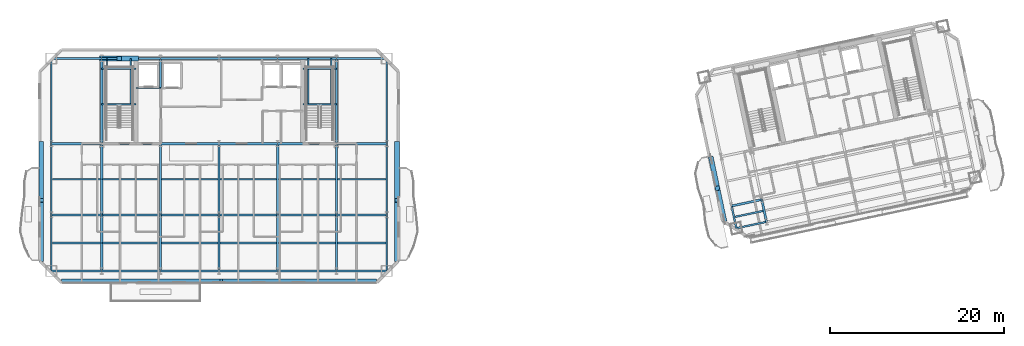
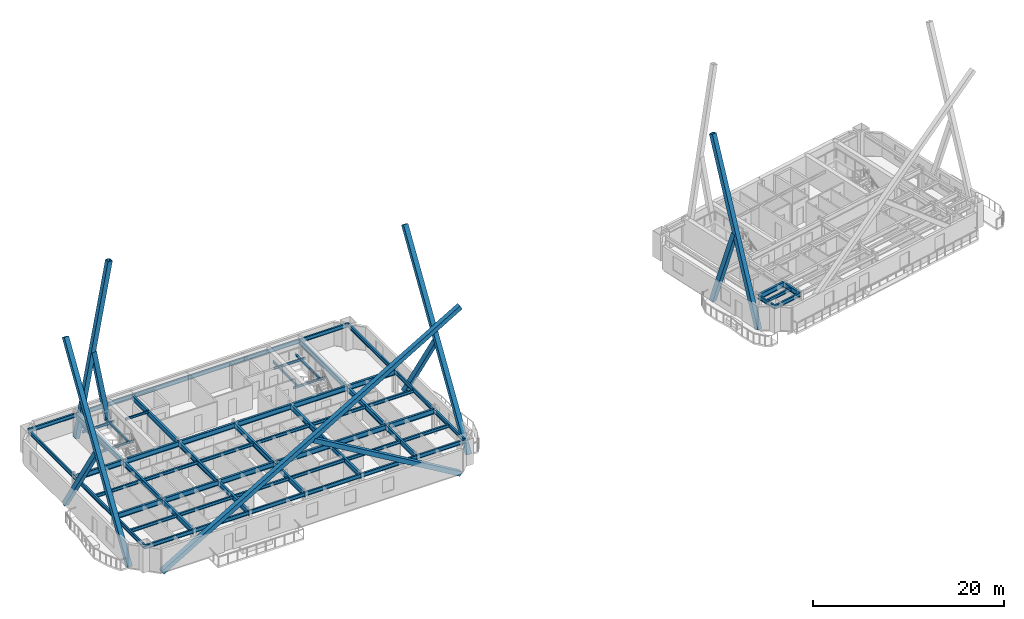
# One storey, part 3 of 20: 69 beams, 10 members.
"""IFC4 building model written with IfcOpenShell, lengths in metres."""

from ifc_helpers import new_model, si_unit, direction, frame, origin, origin_2d, place, context, subcontext, project, spatial, hollow_rectangle, i_section, extrude, material, material_profile, profile_set, type_object, element, save


model = new_model("IFC4")

# Units and contexts
model_context = context("Model", 3, precision=1e-05, world=origin(), true_north=direction((0.0, 1.0)))
body_context = subcontext(model_context, "Body", "Model", "MODEL_VIEW")
ifc_project = project(units=[si_unit("LENGTHUNIT", "METRE"), si_unit("AREAUNIT", "SQUARE_METRE"), si_unit("VOLUMEUNIT", "CUBIC_METRE"), si_unit("PLANEANGLEUNIT", "RADIAN"), si_unit("MASSUNIT", "GRAM", prefix="KILO")], contexts=[model_context])

# Site, building, storey
site_placement = place(None, origin())
site = spatial("IfcSite", under=ifc_project, at=site_placement, CompositionType="ELEMENT")
building_placement = place(site_placement, origin())
building = spatial("IfcBuilding", under=site, at=building_placement, Name="Haevon Station Towers", CompositionType="ELEMENT")
storey_placement = place(building_placement, frame((0.0, 0.0, 175.800048828125)))
storey = spatial("IfcBuildingStorey", under=building, at=storey_placement, Name="L48", CompositionType="ELEMENT", Elevation=175.800048828125)

# Beams
ifc_material_1 = material(Name="Steel S355", Category="steel")
ifc_material_profile_1 = material_profile(ifc_material_1, i_section(OverallWidth=0.25, OverallDepth=0.64990234375, WebThickness=0.012939453125, FlangeThickness=0.02197265625, at=origin_2d()), Name="H-650x250x13x22")
ifc_profile_set_1 = profile_set([ifc_material_profile_1], Name="Steel S355")
beam_type_1 = type_object("IfcBeamType", Name="BM-G650", PredefinedType="BEAM", material=ifc_profile_set_1)
beam_1_placement = place(storey_placement, frame((18.199951171875, 30.0, 2.724853515625), z_axis=(1.0, 0.0, 0.0), x_axis=(0.0, 1.0, 0.0)))
element("IfcBeam", 1, at=beam_1_placement, inside=storey, type_object=beam_type_1, Name="BM-T1U-L48-02-01", PredefinedType="BEAM", context=body_context, shape_type="SweptSolid", body=[
    extrude(i_section(OverallWidth=0.25, OverallDepth=0.64990234375, WebThickness=0.012939453125, FlangeThickness=0.02197265625, at=origin_2d()), origin(), (0.0, 0.0, 1.0), 5.800048828125),
])
for number, where, z_axis, x_axis, name in (
    (2, (24.0, 30.0, 2.724853515625), (1.0, 0.0, 0.0), (0.0, 1.0, 0.0), "BM-T1U-L48-02-02"),
    (3, (30.75, 30.0, 2.724853515625), (1.0, 0.0, 0.0), (0.0, 1.0, 0.0), "BM-T1U-L48-02-03"),
    (4, (37.5, 30.0, 2.724853515625), (1.0, 0.0, 0.0), (0.0, 1.0, 0.0), "BM-T1U-L48-02-04"),
    (5, (44.25, 30.0, 2.724853515625), (1.0, 0.0, 0.0), (0.0, 1.0, 0.0), "BM-T1U-L48-02-05"),
):
    element("IfcBeam", number, at=place(storey_placement, frame(where, z_axis=z_axis, x_axis=x_axis)), inside=storey, type_object=beam_type_1, Name=name, PredefinedType="BEAM", context=body_context, shape_type="SweptSolid", body=[
        extrude(i_section(OverallWidth=0.25, OverallDepth=0.64990234375, WebThickness=0.012939453125, FlangeThickness=0.02197265625, at=origin_2d()), origin(), (0.0, 0.0, 1.0), 6.75),
    ])
for number, where, z_axis, x_axis, name in (
    (6, (51.0, 30.0, 2.724853515625), (1.0, 0.0, 0.0), (0.0, 1.0, 0.0), "BM-T1U-L48-02-06"),
    (7, (18.199951171875, 38.199951171875, 2.724853515625), (1.0, 0.0, 0.0), (0.0, 1.0, 0.0), "BM-T1U-L48-03-01"),
):
    element("IfcBeam", number, at=place(storey_placement, frame(where, z_axis=z_axis, x_axis=x_axis)), inside=storey, type_object=beam_type_1, Name=name, PredefinedType="BEAM", context=body_context, shape_type="SweptSolid", body=[
        extrude(i_section(OverallWidth=0.25, OverallDepth=0.64990234375, WebThickness=0.012939453125, FlangeThickness=0.02197265625, at=origin_2d()), origin(), (0.0, 0.0, 1.0), 5.800048828125),
    ])
for number, where, z_axis, x_axis, name in (
    (8, (24.0, 38.199951171875, 2.724853515625), (1.0, 0.0, 0.0), (0.0, 1.0, 0.0), "BM-T1U-L48-03-02"),
    (9, (30.75, 38.199951171875, 2.724853515625), (1.0, 0.0, 0.0), (0.0, 1.0, 0.0), "BM-T1U-L48-03-03"),
    (10, (37.5, 38.199951171875, 2.724853515625), (1.0, 0.0, 0.0), (0.0, 1.0, 0.0), "BM-T1U-L48-03-04"),
    (11, (44.25, 38.199951171875, 2.724853515625), (1.0, 0.0, 0.0), (0.0, 1.0, 0.0), "BM-T1U-L48-03-05"),
):
    element("IfcBeam", number, at=place(storey_placement, frame(where, z_axis=z_axis, x_axis=x_axis)), inside=storey, type_object=beam_type_1, Name=name, PredefinedType="BEAM", context=body_context, shape_type="SweptSolid", body=[
        extrude(i_section(OverallWidth=0.25, OverallDepth=0.64990234375, WebThickness=0.012939453125, FlangeThickness=0.02197265625, at=origin_2d()), origin(), (0.0, 0.0, 1.0), 6.75),
    ])
beam_2_placement = place(storey_placement, frame((51.0, 38.199951171875, 2.724853515625), z_axis=(1.0, 0.0, 0.0), x_axis=(0.0, 1.0, 0.0)))
element("IfcBeam", 12, at=beam_2_placement, inside=storey, type_object=beam_type_1, Name="BM-T1U-L48-03-06", PredefinedType="BEAM", context=body_context, shape_type="SweptSolid", body=[
    extrude(i_section(OverallWidth=0.25, OverallDepth=0.64990234375, WebThickness=0.012939453125, FlangeThickness=0.02197265625, at=origin_2d()), origin(), (0.0, 0.0, 1.0), 5.800048828125),
])
beam_3_placement = place(storey_placement, frame((24.0, 23.550048828125, 2.724853515625), z_axis=(0.0, 1.0, 0.0), x_axis=(-1.0, 0.0, 0.0)))
element("IfcBeam", 13, at=beam_3_placement, inside=storey, type_object=beam_type_1, Name="BM-T1V-L48-02-01", PredefinedType="BEAM", context=body_context, shape_type="SweptSolid", body=[
    extrude(i_section(OverallWidth=0.25, OverallDepth=0.64990234375, WebThickness=0.012939453125, FlangeThickness=0.02197265625, at=origin_2d()), origin(), (0.0, 0.0, 1.0), 6.449951171875),
])
beam_4_placement = place(storey_placement, frame((24.0, 30.0, 2.724853515625), z_axis=(0.0, 1.0, 0.0), x_axis=(-1.0, 0.0, 0.0)))
element("IfcBeam", 14, at=beam_4_placement, inside=storey, type_object=beam_type_1, Name="BM-T1V-L48-02-02", PredefinedType="BEAM", context=body_context, shape_type="SweptSolid", body=[
    extrude(i_section(OverallWidth=0.25, OverallDepth=0.64990234375, WebThickness=0.012939453125, FlangeThickness=0.02197265625, at=origin_2d()), origin(), (0.0, 0.0, 1.0), 8.199951171875),
])
beam_5_placement = place(storey_placement, frame((24.0, 38.199951171875, 2.724853515625), z_axis=(0.0, 1.0, 0.0), x_axis=(-1.0, 0.0, 0.0)))
element("IfcBeam", 15, at=beam_5_placement, inside=storey, type_object=beam_type_1, Name="BM-T1V-L48-02-03", PredefinedType="BEAM", context=body_context, shape_type="SweptSolid", body=[
    extrude(i_section(OverallWidth=0.25, OverallDepth=0.64990234375, WebThickness=0.012939453125, FlangeThickness=0.02197265625, at=origin_2d()), origin(), (0.0, 0.0, 1.0), 9.800048828125),
])
beam_6_placement = place(storey_placement, frame((30.75, 23.550048828125, 2.724853515625), z_axis=(0.0, 1.0, 0.0), x_axis=(-1.0, 0.0, 0.0)))
element("IfcBeam", 16, at=beam_6_placement, inside=storey, type_object=beam_type_1, Name="BM-T1V-L48-03-01", PredefinedType="BEAM", context=body_context, shape_type="SweptSolid", body=[
    extrude(i_section(OverallWidth=0.25, OverallDepth=0.64990234375, WebThickness=0.012939453125, FlangeThickness=0.02197265625, at=origin_2d()), origin(), (0.0, 0.0, 1.0), 6.449951171875),
])
beam_7_placement = place(storey_placement, frame((30.75, 30.0, 2.724853515625), z_axis=(0.0, 1.0, 0.0), x_axis=(-1.0, 0.0, 0.0)))
element("IfcBeam", 17, at=beam_7_placement, inside=storey, type_object=beam_type_1, Name="BM-T1V-L48-03-02", PredefinedType="BEAM", context=body_context, shape_type="SweptSolid", body=[
    extrude(i_section(OverallWidth=0.25, OverallDepth=0.64990234375, WebThickness=0.012939453125, FlangeThickness=0.02197265625, at=origin_2d()), origin(), (0.0, 0.0, 1.0), 8.199951171875),
])
beam_8_placement = place(storey_placement, frame((30.75, 38.199951171875, 2.724853515625), z_axis=(0.0, 1.0, 0.0), x_axis=(-1.0, 0.0, 0.0)))
element("IfcBeam", 18, at=beam_8_placement, inside=storey, type_object=beam_type_1, Name="BM-T1V-L48-03-03", PredefinedType="BEAM", context=body_context, shape_type="SweptSolid", body=[
    extrude(i_section(OverallWidth=0.25, OverallDepth=0.64990234375, WebThickness=0.012939453125, FlangeThickness=0.02197265625, at=origin_2d()), origin(), (0.0, 0.0, 1.0), 9.800048828125),
])
beam_9_placement = place(storey_placement, frame((37.5, 23.550048828125, 2.724853515625), z_axis=(0.0, 1.0, 0.0), x_axis=(-1.0, 0.0, 0.0)))
element("IfcBeam", 19, at=beam_9_placement, inside=storey, type_object=beam_type_1, Name="BM-T1V-L48-04-01", PredefinedType="BEAM", context=body_context, shape_type="SweptSolid", body=[
    extrude(i_section(OverallWidth=0.25, OverallDepth=0.64990234375, WebThickness=0.012939453125, FlangeThickness=0.02197265625, at=origin_2d()), origin(), (0.0, 0.0, 1.0), 6.449951171875),
])
beam_10_placement = place(storey_placement, frame((37.5, 30.0, 2.724853515625), z_axis=(0.0, 1.0, 0.0), x_axis=(-1.0, 0.0, 0.0)))
element("IfcBeam", 20, at=beam_10_placement, inside=storey, type_object=beam_type_1, Name="BM-T1V-L48-04-02", PredefinedType="BEAM", context=body_context, shape_type="SweptSolid", body=[
    extrude(i_section(OverallWidth=0.25, OverallDepth=0.64990234375, WebThickness=0.012939453125, FlangeThickness=0.02197265625, at=origin_2d()), origin(), (0.0, 0.0, 1.0), 8.199951171875),
])
beam_11_placement = place(storey_placement, frame((44.25, 23.550048828125, 2.724853515625), z_axis=(0.0, 1.0, 0.0), x_axis=(-1.0, 0.0, 0.0)))
element("IfcBeam", 21, at=beam_11_placement, inside=storey, type_object=beam_type_1, Name="BM-T1V-L48-05-01", PredefinedType="BEAM", context=body_context, shape_type="SweptSolid", body=[
    extrude(i_section(OverallWidth=0.25, OverallDepth=0.64990234375, WebThickness=0.012939453125, FlangeThickness=0.02197265625, at=origin_2d()), origin(), (0.0, 0.0, 1.0), 6.449951171875),
])
beam_12_placement = place(storey_placement, frame((44.25, 30.0, 2.724853515625), z_axis=(0.0, 1.0, 0.0), x_axis=(-1.0, 0.0, 0.0)))
element("IfcBeam", 22, at=beam_12_placement, inside=storey, type_object=beam_type_1, Name="BM-T1V-L48-05-02", PredefinedType="BEAM", context=body_context, shape_type="SweptSolid", body=[
    extrude(i_section(OverallWidth=0.25, OverallDepth=0.64990234375, WebThickness=0.012939453125, FlangeThickness=0.02197265625, at=origin_2d()), origin(), (0.0, 0.0, 1.0), 8.199951171875),
])
beam_13_placement = place(storey_placement, frame((51.0, 23.550048828125, 2.724853515625), z_axis=(0.0, 1.0, 0.0), x_axis=(-1.0, 0.0, 0.0)))
element("IfcBeam", 23, at=beam_13_placement, inside=storey, type_object=beam_type_1, Name="BM-T1V-L48-06-01", PredefinedType="BEAM", context=body_context, shape_type="SweptSolid", body=[
    extrude(i_section(OverallWidth=0.25, OverallDepth=0.64990234375, WebThickness=0.012939453125, FlangeThickness=0.02197265625, at=origin_2d()), origin(), (0.0, 0.0, 1.0), 6.449951171875),
])
beam_14_placement = place(storey_placement, frame((51.0, 30.0, 2.724853515625), z_axis=(0.0, 1.0, 0.0), x_axis=(-1.0, 0.0, 0.0)))
element("IfcBeam", 24, at=beam_14_placement, inside=storey, type_object=beam_type_1, Name="BM-T1V-L48-06-02", PredefinedType="BEAM", context=body_context, shape_type="SweptSolid", body=[
    extrude(i_section(OverallWidth=0.25, OverallDepth=0.64990234375, WebThickness=0.012939453125, FlangeThickness=0.02197265625, at=origin_2d()), origin(), (0.0, 0.0, 1.0), 8.199951171875),
])
beam_15_placement = place(storey_placement, frame((51.0, 38.199951171875, 2.724853515625), z_axis=(0.0, 1.0, 0.0), x_axis=(-1.0, 0.0, 0.0)))
element("IfcBeam", 25, at=beam_15_placement, inside=storey, type_object=beam_type_1, Name="BM-T1V-L48-06-03", PredefinedType="BEAM", context=body_context, shape_type="SweptSolid", body=[
    extrude(i_section(OverallWidth=0.25, OverallDepth=0.64990234375, WebThickness=0.012939453125, FlangeThickness=0.02197265625, at=origin_2d()), origin(), (0.0, 0.0, 1.0), 9.800048828125),
])
beam_16_placement = place(storey_placement, frame((96.48583984375, 31.031005859375, 2.724853515625), z_axis=(0.978150285663, 0.207899058817, 0.0), x_axis=(-0.207899058817, 0.978150285663, 0.0)))
element("IfcBeam", 26, at=beam_16_placement, inside=storey, type_object=beam_type_1, Name="BM-T2U-L48-02-01", PredefinedType="BEAM", context=body_context, shape_type="SweptSolid", body=[
    extrude(i_section(OverallWidth=0.25, OverallDepth=0.64990234375, WebThickness=0.012939453125, FlangeThickness=0.02197265625, at=origin_2d()), origin(), (0.0, 0.0, 1.0), 3.550048828125),
])
beam_17_placement = place(storey_placement, frame((100.5029296875, 29.206298828125, 2.724853515625), z_axis=(-0.207893304367, 0.978151508714, 0.0), x_axis=(-0.978151508714, -0.207893304367, 0.0)))
element("IfcBeam", 27, at=beam_17_placement, inside=storey, type_object=beam_type_1, Name="BM-T2V-L48-02-01", PredefinedType="BEAM", context=body_context, shape_type="SweptSolid", body=[
    extrude(i_section(OverallWidth=0.25, OverallDepth=0.64990234375, WebThickness=0.012939453125, FlangeThickness=0.02197265625, at=origin_2d()), origin(), (0.0, 0.0, 1.0), 2.619873046875),
])
ifc_material_profile_2 = material_profile(ifc_material_1, i_section(OverallWidth=0.199951171875, OverallDepth=0.39990234375, WebThickness=0.008056640625, FlangeThickness=0.012939453125, at=origin_2d()), Name="H-400x200x8x13")
ifc_profile_set_2 = profile_set([ifc_material_profile_2], Name="Steel S355")
beam_type_2 = type_object("IfcBeamType", Name="BM-J400", PredefinedType="JOIST", material=ifc_profile_set_2)
beam_18_placement = place(storey_placement, frame((18.31005859375, 26.77490234375, 2.849853515625), z_axis=(1.0, 0.0, 0.0), x_axis=(0.0, 1.0, 0.0)))
element("IfcBeam", 28, at=beam_18_placement, inside=storey, type_object=beam_type_2, Name="BM-T1J-L48-01-01", PredefinedType="JOIST", context=body_context, shape_type="SweptSolid", body=[
    extrude(i_section(OverallWidth=0.199951171875, OverallDepth=0.39990234375, WebThickness=0.008056640625, FlangeThickness=0.012939453125, at=origin_2d()), origin(), (0.0, 0.0, 1.0), 5.579833984375),
])
for number, where, z_axis, x_axis, name in (
    (29, (24.110107421875, 26.77490234375, 2.849853515625), (1.0, 0.0, 0.0), (0.0, 1.0, 0.0), "BM-T1J-L48-01-02"),
    (30, (30.860107421875, 26.77490234375, 2.849853515625), (1.0, 0.0, 0.0), (0.0, 1.0, 0.0), "BM-T1J-L48-01-03"),
    (31, (37.610107421875, 26.77490234375, 2.849853515625), (1.0, 0.0, 0.0), (0.0, 1.0, 0.0), "BM-T1J-L48-01-04"),
    (32, (44.360107421875, 26.77490234375, 2.849853515625), (1.0, 0.0, 0.0), (0.0, 1.0, 0.0), "BM-T1J-L48-01-05"),
):
    element("IfcBeam", number, at=place(storey_placement, frame(where, z_axis=z_axis, x_axis=x_axis)), inside=storey, type_object=beam_type_2, Name=name, PredefinedType="JOIST", context=body_context, shape_type="SweptSolid", body=[
        extrude(i_section(OverallWidth=0.199951171875, OverallDepth=0.39990234375, WebThickness=0.008056640625, FlangeThickness=0.012939453125, at=origin_2d()), origin(), (0.0, 0.0, 1.0), 6.52978515625),
    ])
for number, where, z_axis, x_axis, name in (
    (33, (51.110107421875, 26.77490234375, 2.849853515625), (1.0, 0.0, 0.0), (0.0, 1.0, 0.0), "BM-T1J-L48-01-06"),
    (34, (18.31005859375, 34.10009765625, 2.849853515625), (1.0, 0.0, 0.0), (0.0, 1.0, 0.0), "BM-T1J-L48-02-01"),
):
    element("IfcBeam", number, at=place(storey_placement, frame(where, z_axis=z_axis, x_axis=x_axis)), inside=storey, type_object=beam_type_2, Name=name, PredefinedType="JOIST", context=body_context, shape_type="SweptSolid", body=[
        extrude(i_section(OverallWidth=0.199951171875, OverallDepth=0.39990234375, WebThickness=0.008056640625, FlangeThickness=0.012939453125, at=origin_2d()), origin(), (0.0, 0.0, 1.0), 5.579833984375),
    ])
for number, where, z_axis, x_axis, name in (
    (35, (24.110107421875, 34.10009765625, 2.849853515625), (1.0, 0.0, 0.0), (0.0, 1.0, 0.0), "BM-T1J-L48-02-02"),
    (36, (30.860107421875, 34.10009765625, 2.849853515625), (1.0, 0.0, 0.0), (0.0, 1.0, 0.0), "BM-T1J-L48-02-03"),
    (37, (37.610107421875, 34.10009765625, 2.849853515625), (1.0, 0.0, 0.0), (0.0, 1.0, 0.0), "BM-T1J-L48-02-04"),
    (38, (44.360107421875, 34.10009765625, 2.849853515625), (1.0, 0.0, 0.0), (0.0, 1.0, 0.0), "BM-T1J-L48-02-05"),
):
    element("IfcBeam", number, at=place(storey_placement, frame(where, z_axis=z_axis, x_axis=x_axis)), inside=storey, type_object=beam_type_2, Name=name, PredefinedType="JOIST", context=body_context, shape_type="SweptSolid", body=[
        extrude(i_section(OverallWidth=0.199951171875, OverallDepth=0.39990234375, WebThickness=0.008056640625, FlangeThickness=0.012939453125, at=origin_2d()), origin(), (0.0, 0.0, 1.0), 6.52978515625),
    ])
beam_19_placement = place(storey_placement, frame((51.110107421875, 34.10009765625, 2.849853515625), z_axis=(1.0, 0.0, 0.0), x_axis=(0.0, 1.0, 0.0)))
element("IfcBeam", 39, at=beam_19_placement, inside=storey, type_object=beam_type_2, Name="BM-T1J-L48-02-06", PredefinedType="JOIST", context=body_context, shape_type="SweptSolid", body=[
    extrude(i_section(OverallWidth=0.199951171875, OverallDepth=0.39990234375, WebThickness=0.008056640625, FlangeThickness=0.012939453125, at=origin_2d()), origin(), (0.0, 0.0, 1.0), 5.579833984375),
])
beam_20_placement = place(storey_placement, frame((96.86572265625, 29.7724609375, 2.849853515625), z_axis=(0.978146551768, 0.207916625754, 0.0), x_axis=(-0.207916625754, 0.978146551768, 0.0)))
element("IfcBeam", 40, at=beam_20_placement, inside=storey, type_object=beam_type_2, Name="BM-T2J-L48-01-01", PredefinedType="JOIST", context=body_context, shape_type="SweptSolid", body=[
    extrude(i_section(OverallWidth=0.199951171875, OverallDepth=0.39990234375, WebThickness=0.008056640625, FlangeThickness=0.012939453125, at=origin_2d()), origin(), (0.0, 0.0, 1.0), 3.330078125),
])
ifc_material_profile_3 = material_profile(ifc_material_1, i_section(OverallWidth=0.14990234375, OverallDepth=0.300048828125, WebThickness=0.006591796875, FlangeThickness=0.009033203125, at=origin_2d()), Name="H-300x150x6.5x9")
ifc_profile_set_3 = profile_set([ifc_material_profile_3], Name="Steel S355")
beam_type_3 = type_object("IfcBeamType", Name="BM-LIN300", PredefinedType="LINTEL", material=ifc_profile_set_3)
for number, where, z_axis, x_axis, name in (
    (41, (24.0, 42.743896484375, 1.300048828125), (1.0, 0.0, 0.0), (0.0, 1.0, 0.0), "BM-ST1L-L48-1-S"),
    (42, (24.0, 46.820068359375, 1.300048828125), (1.0, 0.0, 0.0), (0.0, 1.0, 0.0), "BM-ST1L-L48-1-N"),
):
    element("IfcBeam", number, at=place(storey_placement, frame(where, z_axis=z_axis, x_axis=x_axis)), inside=storey, type_object=beam_type_3, Name=name, PredefinedType="LINTEL", context=body_context, shape_type="SweptSolid", body=[
        extrude(i_section(OverallWidth=0.14990234375, OverallDepth=0.300048828125, WebThickness=0.006591796875, FlangeThickness=0.009033203125, at=origin_2d()), origin(), (0.0, 0.0, 1.0), 3.949951171875),
    ])
for number, where, z_axis, x_axis, name in (
    (43, (24.60009765625, 42.743896484375, 1.300048828125), (0.0, 1.0, 0.0), (-1.0, 0.0, 0.0), "BM-ST1L-L48-1-W"),
    (44, (27.35009765625, 42.743896484375, 1.300048828125), (0.0, 1.0, 0.0), (-1.0, 0.0, 0.0), "BM-ST1L-L48-1-E"),
):
    element("IfcBeam", number, at=place(storey_placement, frame(where, z_axis=z_axis, x_axis=x_axis)), inside=storey, type_object=beam_type_3, Name=name, PredefinedType="LINTEL", context=body_context, shape_type="SweptSolid", body=[
        extrude(i_section(OverallWidth=0.14990234375, OverallDepth=0.300048828125, WebThickness=0.006591796875, FlangeThickness=0.009033203125, at=origin_2d()), origin(), (0.0, 0.0, 1.0), 5.256103515625),
    ])
for number, where, z_axis, x_axis, name in (
    (45, (47.14990234375, 42.743896484375, 1.300048828125), (1.0, 0.0, 0.0), (0.0, 1.0, 0.0), "BM-ST2L-L48-1-S"),
    (46, (47.14990234375, 46.820068359375, 1.300048828125), (1.0, 0.0, 0.0), (0.0, 1.0, 0.0), "BM-ST2L-L48-1-N"),
):
    element("IfcBeam", number, at=place(storey_placement, frame(where, z_axis=z_axis, x_axis=x_axis)), inside=storey, type_object=beam_type_3, Name=name, PredefinedType="LINTEL", context=body_context, shape_type="SweptSolid", body=[
        extrude(i_section(OverallWidth=0.14990234375, OverallDepth=0.300048828125, WebThickness=0.006591796875, FlangeThickness=0.009033203125, at=origin_2d()), origin(), (0.0, 0.0, 1.0), 3.85009765625),
    ])
for number, where, z_axis, x_axis, name in (
    (47, (47.75, 42.743896484375, 1.300048828125), (0.0, 1.0, 0.0), (-1.0, 0.0, 0.0), "BM-ST2L-L48-1-W"),
    (48, (50.39990234375, 42.743896484375, 1.300048828125), (0.0, 1.0, 0.0), (-1.0, 0.0, 0.0), "BM-ST2L-L48-1-E"),
):
    element("IfcBeam", number, at=place(storey_placement, frame(where, z_axis=z_axis, x_axis=x_axis)), inside=storey, type_object=beam_type_3, Name=name, PredefinedType="LINTEL", context=body_context, shape_type="SweptSolid", body=[
        extrude(i_section(OverallWidth=0.14990234375, OverallDepth=0.300048828125, WebThickness=0.006591796875, FlangeThickness=0.009033203125, at=origin_2d()), origin(), (0.0, 0.0, 1.0), 5.256103515625),
    ])
beam_21_placement = place(storey_placement, frame((27.949951171875, 44.60009765625, 2.89990234375), z_axis=(1.0, 0.0, 0.0), x_axis=(0.0, 1.0, 0.0)))
element("IfcBeam", 49, at=beam_21_placement, inside=storey, type_object=beam_type_3, Name="BM-T1LIN-L48", PredefinedType="LINTEL", context=body_context, shape_type="SweptSolid", body=[
    extrude(i_section(OverallWidth=0.14990234375, OverallDepth=0.300048828125, WebThickness=0.006591796875, FlangeThickness=0.009033203125, at=origin_2d()), origin(), (0.0, 0.0, 1.0), 2.85009765625),
])
ifc_material_profile_4 = material_profile(ifc_material_1, i_section(OverallWidth=0.199951171875, OverallDepth=0.5, WebThickness=0.010009765625, FlangeThickness=0.01611328125, at=origin_2d()), Name="H-500x200x10x16")
ifc_profile_set_4 = profile_set([ifc_material_profile_4], Name="Steel S355")
beam_type_4 = type_object("IfcBeamType", Name="BM-SP500", PredefinedType="SPANDREL", material=ifc_profile_set_4)
beam_22_placement = place(storey_placement, frame((18.199951171875, 23.550048828125, 2.800048828125), z_axis=(1.0, 0.0, 0.0), x_axis=(0.0, 1.0, 0.0)))
element("IfcBeam", 50, at=beam_22_placement, inside=storey, type_object=beam_type_4, Name="BM-T1U-L48-01-01", PredefinedType="SPANDREL", context=body_context, shape_type="SweptSolid", body=[
    extrude(i_section(OverallWidth=0.199951171875, OverallDepth=0.5, WebThickness=0.010009765625, FlangeThickness=0.01611328125, at=origin_2d()), origin(), (0.0, 0.0, 1.0), 5.800048828125),
])
for number, where, z_axis, x_axis, name in (
    (51, (24.0, 23.550048828125, 2.800048828125), (1.0, 0.0, 0.0), (0.0, 1.0, 0.0), "BM-T1U-L48-01-02"),
    (52, (30.75, 23.550048828125, 2.800048828125), (1.0, 0.0, 0.0), (0.0, 1.0, 0.0), "BM-T1U-L48-01-03"),
    (53, (37.5, 23.550048828125, 2.800048828125), (1.0, 0.0, 0.0), (0.0, 1.0, 0.0), "BM-T1U-L48-01-04"),
    (54, (44.25, 23.550048828125, 2.800048828125), (1.0, 0.0, 0.0), (0.0, 1.0, 0.0), "BM-T1U-L48-01-05"),
):
    element("IfcBeam", number, at=place(storey_placement, frame(where, z_axis=z_axis, x_axis=x_axis)), inside=storey, type_object=beam_type_4, Name=name, PredefinedType="SPANDREL", context=body_context, shape_type="SweptSolid", body=[
        extrude(i_section(OverallWidth=0.199951171875, OverallDepth=0.5, WebThickness=0.010009765625, FlangeThickness=0.01611328125, at=origin_2d()), origin(), (0.0, 0.0, 1.0), 6.75),
    ])
for number, where, z_axis, x_axis, name in (
    (55, (51.0, 23.550048828125, 2.800048828125), (1.0, 0.0, 0.0), (0.0, 1.0, 0.0), "BM-T1U-L48-01-06"),
    (56, (18.199951171875, 48.0, 2.800048828125), (1.0, 0.0, 0.0), (0.0, 1.0, 0.0), "BM-T1U-L48-04-01"),
):
    element("IfcBeam", number, at=place(storey_placement, frame(where, z_axis=z_axis, x_axis=x_axis)), inside=storey, type_object=beam_type_4, Name=name, PredefinedType="SPANDREL", context=body_context, shape_type="SweptSolid", body=[
        extrude(i_section(OverallWidth=0.199951171875, OverallDepth=0.5, WebThickness=0.010009765625, FlangeThickness=0.01611328125, at=origin_2d()), origin(), (0.0, 0.0, 1.0), 5.800048828125),
    ])
for number, where, z_axis, x_axis, name in (
    (57, (24.0, 48.0, 2.800048828125), (1.0, 0.0, 0.0), (0.0, 1.0, 0.0), "BM-T1U-L48-04-02"),
    (58, (30.75, 48.0, 2.800048828125), (1.0, 0.0, 0.0), (0.0, 1.0, 0.0), "BM-T1U-L48-04-03"),
    (59, (37.5, 48.0, 2.800048828125), (1.0, 0.0, 0.0), (0.0, 1.0, 0.0), "BM-T1U-L48-04-04"),
    (60, (44.25, 48.0, 2.800048828125), (1.0, 0.0, 0.0), (0.0, 1.0, 0.0), "BM-T1U-L48-04-05"),
):
    element("IfcBeam", number, at=place(storey_placement, frame(where, z_axis=z_axis, x_axis=x_axis)), inside=storey, type_object=beam_type_4, Name=name, PredefinedType="SPANDREL", context=body_context, shape_type="SweptSolid", body=[
        extrude(i_section(OverallWidth=0.199951171875, OverallDepth=0.5, WebThickness=0.010009765625, FlangeThickness=0.01611328125, at=origin_2d()), origin(), (0.0, 0.0, 1.0), 6.75),
    ])
beam_23_placement = place(storey_placement, frame((51.0, 48.0, 2.800048828125), z_axis=(1.0, 0.0, 0.0), x_axis=(0.0, 1.0, 0.0)))
element("IfcBeam", 61, at=beam_23_placement, inside=storey, type_object=beam_type_4, Name="BM-T1U-L48-04-06", PredefinedType="SPANDREL", context=body_context, shape_type="SweptSolid", body=[
    extrude(i_section(OverallWidth=0.199951171875, OverallDepth=0.5, WebThickness=0.010009765625, FlangeThickness=0.01611328125, at=origin_2d()), origin(), (0.0, 0.0, 1.0), 5.800048828125),
])
beam_24_placement = place(storey_placement, frame((18.199951171875, 23.550048828125, 2.800048828125), z_axis=(0.0, 1.0, 0.0), x_axis=(-1.0, 0.0, 0.0)))
element("IfcBeam", 62, at=beam_24_placement, inside=storey, type_object=beam_type_4, Name="BM-T1V-L48-01-01", PredefinedType="SPANDREL", context=body_context, shape_type="SweptSolid", body=[
    extrude(i_section(OverallWidth=0.199951171875, OverallDepth=0.5, WebThickness=0.010009765625, FlangeThickness=0.01611328125, at=origin_2d()), origin(), (0.0, 0.0, 1.0), 6.449951171875),
])
beam_25_placement = place(storey_placement, frame((18.199951171875, 30.0, 2.800048828125), z_axis=(0.0, 1.0, 0.0), x_axis=(-1.0, 0.0, 0.0)))
element("IfcBeam", 63, at=beam_25_placement, inside=storey, type_object=beam_type_4, Name="BM-T1V-L48-01-02", PredefinedType="SPANDREL", context=body_context, shape_type="SweptSolid", body=[
    extrude(i_section(OverallWidth=0.199951171875, OverallDepth=0.5, WebThickness=0.010009765625, FlangeThickness=0.01611328125, at=origin_2d()), origin(), (0.0, 0.0, 1.0), 8.199951171875),
])
beam_26_placement = place(storey_placement, frame((18.199951171875, 38.199951171875, 2.800048828125), z_axis=(0.0, 1.0, 0.0), x_axis=(-1.0, 0.0, 0.0)))
element("IfcBeam", 64, at=beam_26_placement, inside=storey, type_object=beam_type_4, Name="BM-T1V-L48-01-03", PredefinedType="SPANDREL", context=body_context, shape_type="SweptSolid", body=[
    extrude(i_section(OverallWidth=0.199951171875, OverallDepth=0.5, WebThickness=0.010009765625, FlangeThickness=0.01611328125, at=origin_2d()), origin(), (0.0, 0.0, 1.0), 9.800048828125),
])
beam_27_placement = place(storey_placement, frame((56.800048828125, 23.550048828125, 2.800048828125), z_axis=(0.0, 1.0, 0.0), x_axis=(-1.0, 0.0, 0.0)))
element("IfcBeam", 65, at=beam_27_placement, inside=storey, type_object=beam_type_4, Name="BM-T1V-L48-07-01", PredefinedType="SPANDREL", context=body_context, shape_type="SweptSolid", body=[
    extrude(i_section(OverallWidth=0.199951171875, OverallDepth=0.5, WebThickness=0.010009765625, FlangeThickness=0.01611328125, at=origin_2d()), origin(), (0.0, 0.0, 1.0), 6.449951171875),
])
beam_28_placement = place(storey_placement, frame((56.800048828125, 30.0, 2.800048828125), z_axis=(0.0, 1.0, 0.0), x_axis=(-1.0, 0.0, 0.0)))
element("IfcBeam", 66, at=beam_28_placement, inside=storey, type_object=beam_type_4, Name="BM-T1V-L48-07-02", PredefinedType="SPANDREL", context=body_context, shape_type="SweptSolid", body=[
    extrude(i_section(OverallWidth=0.199951171875, OverallDepth=0.5, WebThickness=0.010009765625, FlangeThickness=0.01611328125, at=origin_2d()), origin(), (0.0, 0.0, 1.0), 8.199951171875),
])
beam_29_placement = place(storey_placement, frame((56.800048828125, 38.199951171875, 2.800048828125), z_axis=(0.0, 1.0, 0.0), x_axis=(-1.0, 0.0, 0.0)))
element("IfcBeam", 67, at=beam_29_placement, inside=storey, type_object=beam_type_4, Name="BM-T1V-L48-07-03", PredefinedType="SPANDREL", context=body_context, shape_type="SweptSolid", body=[
    extrude(i_section(OverallWidth=0.199951171875, OverallDepth=0.5, WebThickness=0.010009765625, FlangeThickness=0.01611328125, at=origin_2d()), origin(), (0.0, 0.0, 1.0), 9.800048828125),
])
beam_30_placement = place(storey_placement, frame((97.030517578125, 28.46826171875, 2.800048828125), z_axis=(0.978150285663, 0.207899058817, 0.0), x_axis=(-0.207899058817, 0.978150285663, 0.0)))
element("IfcBeam", 68, at=beam_30_placement, inside=storey, type_object=beam_type_4, Name="BM-T2U-L48-01-01", PredefinedType="SPANDREL", context=body_context, shape_type="SweptSolid", body=[
    extrude(i_section(OverallWidth=0.199951171875, OverallDepth=0.5, WebThickness=0.010009765625, FlangeThickness=0.01611328125, at=origin_2d()), origin(), (0.0, 0.0, 1.0), 3.550048828125),
])
beam_31_placement = place(storey_placement, frame((97.030517578125, 28.46826171875, 2.800048828125), z_axis=(-0.207893304367, 0.978151508714, 0.0), x_axis=(-0.978151508714, -0.207893304367, 0.0)))
element("IfcBeam", 69, at=beam_31_placement, inside=storey, type_object=beam_type_4, Name="BM-T2V-L48-01-01", PredefinedType="SPANDREL", context=body_context, shape_type="SweptSolid", body=[
    extrude(i_section(OverallWidth=0.199951171875, OverallDepth=0.5, WebThickness=0.010009765625, FlangeThickness=0.01611328125, at=origin_2d()), origin(), (0.0, 0.0, 1.0), 2.619873046875),
])

# Members
ifc_material_2 = material(Name="Steel S460", Category="steel")
ifc_material_profile_5 = material_profile(ifc_material_2, hollow_rectangle(XDim=0.550048828125, YDim=0.550048828125, WallThickness=0.028076171875, at=origin_2d()), Name="RHS-550x550x28")
ifc_profile_set_5 = profile_set([ifc_material_profile_5], Name="Steel S460")
member_type = type_object("IfcMemberType", Name="MB-550", PredefinedType="BRACE", material=ifc_profile_set_5)
member_1_placement = place(storey_placement, frame((19.5, 22.3798828125, -0.1201171875), z_axis=(0.860954888948, 0.0, 0.508681313985), x_axis=(0.0, 1.0, 0.0)))
element("IfcMember", 70, at=member_1_placement, inside=storey, type_object=member_type, Name="BR-T1MB-T07-S-D1", PredefinedType="BRACE", context=body_context, shape_type="SweptSolid", body=[
    extrude(hollow_rectangle(XDim=0.550048828125, YDim=0.550048828125, WallThickness=0.028076171875, at=origin_2d()), origin(), (0.0, 0.0, 1.0), 41.81396484375),
])
member_2_placement = place(storey_placement, frame((55.5, 22.3798828125, -0.1201171875), z_axis=(-0.860955283643, 0.0, 0.508680645953), x_axis=(0.0, -1.0, 0.0)))
element("IfcMember", 71, at=member_2_placement, inside=storey, type_object=member_type, Name="BR-T1MB-T07-S-D2A", PredefinedType="BRACE", context=body_context, shape_type="SweptSolid", body=[
    extrude(hollow_rectangle(XDim=0.550048828125, YDim=0.550048828125, WallThickness=0.028076171875, at=origin_2d()), origin(), (0.0, 0.0, 1.0), 20.6201171875),
])
member_3_placement = place(storey_placement, frame((24.0, 48.0, -0.1201171875), z_axis=(0.182583466663, 0.0, 0.983190356798), x_axis=(0.0, 1.0, 0.0)))
element("IfcMember", 72, at=member_3_placement, inside=storey, type_object=member_type, Name="BR-T1MB-T07-N-D1", PredefinedType="BRACE", context=body_context, shape_type="SweptSolid", body=[
    extrude(hollow_rectangle(XDim=0.550048828125, YDim=0.550048828125, WallThickness=0.028076171875, at=origin_2d()), origin(), (0.0, 0.0, 1.0), 21.6337890625),
])
member_4_placement = place(storey_placement, frame((27.949951171875, 48.0, -0.1201171875), z_axis=(-0.182587391121, 0.0, 0.983189627998), x_axis=(0.0, -1.0, 0.0)))
element("IfcMember", 73, at=member_4_placement, inside=storey, type_object=member_type, Name="BR-T1MB-T07-N-D2A", PredefinedType="BRACE", context=body_context, shape_type="SweptSolid", body=[
    extrude(hollow_rectangle(XDim=0.550048828125, YDim=0.550048828125, WallThickness=0.028076171875, at=origin_2d()), origin(), (0.0, 0.0, 1.0), 10.52978515625),
])
member_5_placement = place(storey_placement, frame((17.030029296875, 24.85009765625, -0.1201171875), z_axis=(0.0, 0.531604181173, 0.846992912934), x_axis=(-1.0, 0.0, 0.0)))
element("IfcMember", 74, at=member_5_placement, inside=storey, type_object=member_type, Name="BR-T1MB-T07-W-D1", PredefinedType="BRACE", context=body_context, shape_type="SweptSolid", body=[
    extrude(hollow_rectangle(XDim=0.550048828125, YDim=0.550048828125, WallThickness=0.028076171875, at=origin_2d()), origin(), (0.0, 0.0, 1.0), 25.1123046875),
])
member_6_placement = place(storey_placement, frame((17.030029296875, 38.199951171875, -0.1201171875), z_axis=(0.0, -0.531604165771, 0.8469929226), x_axis=(1.0, 0.0, 0.0)))
element("IfcMember", 75, at=member_6_placement, inside=storey, type_object=member_type, Name="BR-T1MB-T07-W-D2A", PredefinedType="BRACE", context=body_context, shape_type="SweptSolid", body=[
    extrude(hollow_rectangle(XDim=0.550048828125, YDim=0.550048828125, WallThickness=0.028076171875, at=origin_2d()), origin(), (0.0, 0.0, 1.0), 12.269287109375),
])
member_7_placement = place(storey_placement, frame((57.969970703125, 24.85009765625, -0.1201171875), z_axis=(0.0, 0.531604181173, 0.846992912934), x_axis=(-1.0, 0.0, 0.0)))
element("IfcMember", 76, at=member_7_placement, inside=storey, type_object=member_type, Name="BR-T1MB-T07-E-D1", PredefinedType="BRACE", context=body_context, shape_type="SweptSolid", body=[
    extrude(hollow_rectangle(XDim=0.550048828125, YDim=0.550048828125, WallThickness=0.028076171875, at=origin_2d()), origin(), (0.0, 0.0, 1.0), 25.1123046875),
])
member_8_placement = place(storey_placement, frame((57.969970703125, 38.199951171875, -0.1201171875), z_axis=(0.0, -0.531604165771, 0.8469929226), x_axis=(1.0, 0.0, 0.0)))
element("IfcMember", 77, at=member_8_placement, inside=storey, type_object=member_type, Name="BR-T1MB-T07-E-D2A", PredefinedType="BRACE", context=body_context, shape_type="SweptSolid", body=[
    extrude(hollow_rectangle(XDim=0.550048828125, YDim=0.550048828125, WallThickness=0.028076171875, at=origin_2d()), origin(), (0.0, 0.0, 1.0), 12.269287109375),
])
member_9_placement = place(storey_placement, frame((95.61572265625, 29.49658203125, -0.1201171875), z_axis=(-0.065992708627, 0.31050206152, 0.94827919528), x_axis=(-0.978151791684, -0.207891972972, 0.0)))
element("IfcMember", 78, at=member_9_placement, inside=storey, type_object=member_type, Name="BR-T2MB-T07-W-D1", PredefinedType="BRACE", context=body_context, shape_type="SweptSolid", body=[
    extrude(hollow_rectangle(XDim=0.550048828125, YDim=0.550048828125, WallThickness=0.028076171875, at=origin_2d()), origin(), (0.0, 0.0, 1.0), 22.43017578125),
])
member_10_placement = place(storey_placement, frame((94.135498046875, 36.461181640625, -0.1201171875), z_axis=(0.065994553852, -0.310513982393, 0.948275163442), x_axis=(0.978152232642, 0.20788989821, 0.0)))
element("IfcMember", 79, at=member_10_placement, inside=storey, type_object=member_type, Name="BR-T2MB-T07-W-D2A", PredefinedType="BRACE", context=body_context, shape_type="SweptSolid", body=[
    extrude(hollow_rectangle(XDim=0.550048828125, YDim=0.550048828125, WallThickness=0.028076171875, at=origin_2d()), origin(), (0.0, 0.0, 1.0), 10.927978515625),
])

save(model, "model.ifc")
